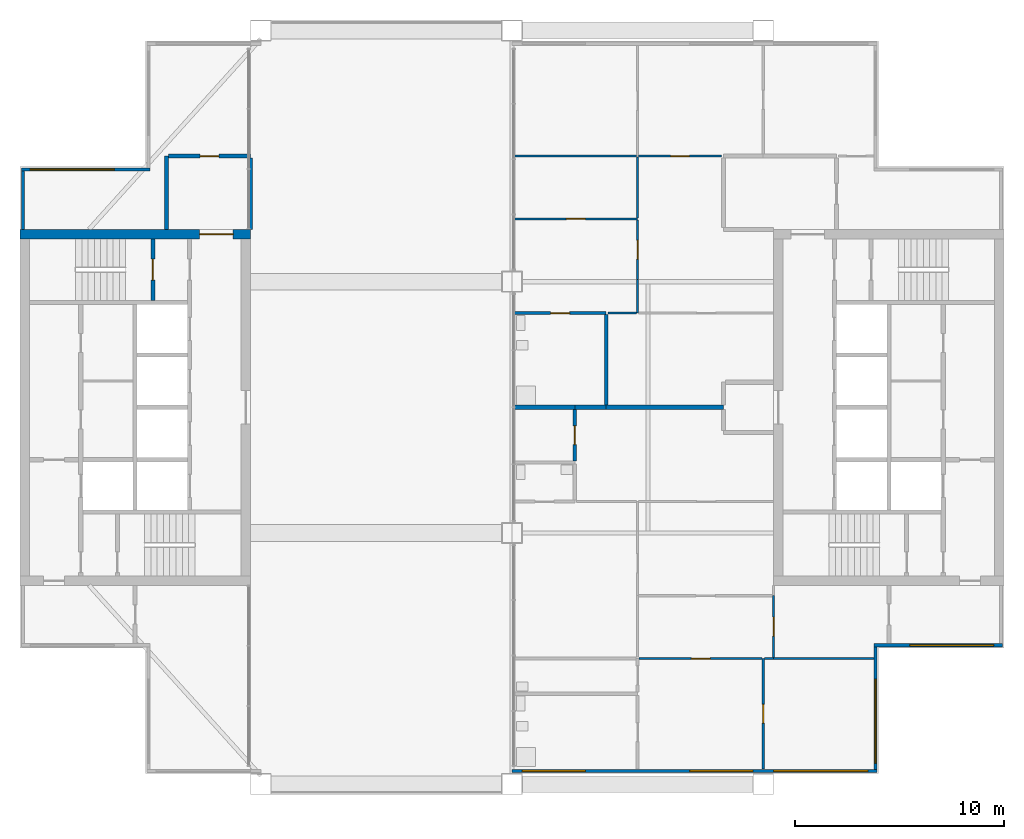
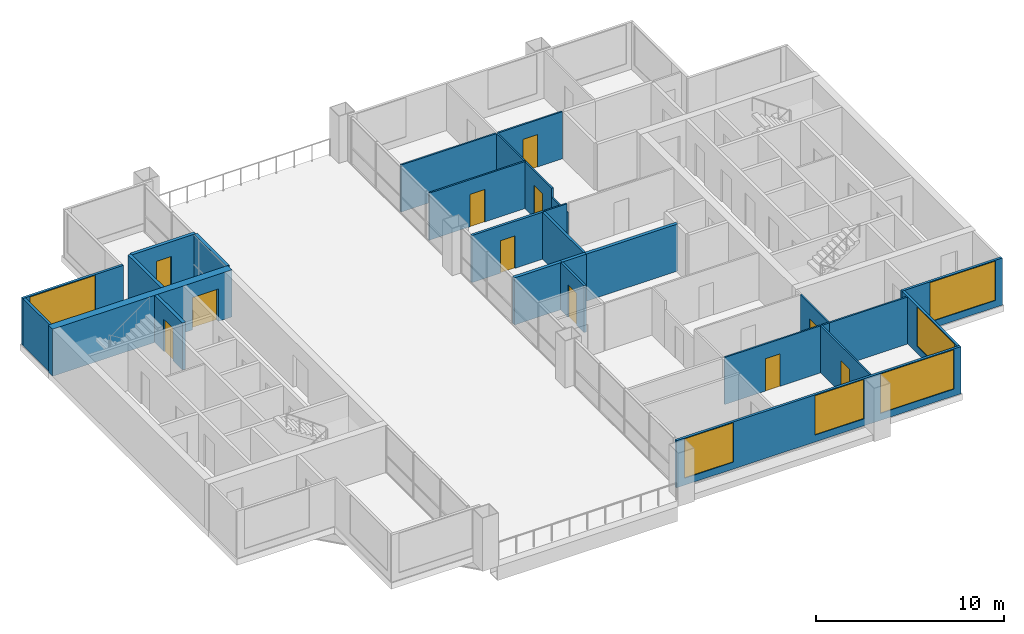
# One storey, part 8 of 12: 28 walls, 11 doors, 6 windows, 17 openings.
"""IFC4 building model written with IfcOpenShell, lengths in metres."""

from ifc_helpers import new_model, si_unit, direction, frame, frame_2d, origin, place, context, subcontext, project, spatial, rectangle, extrude, material, layer, layer_set, type_object, element, fill, save


model = new_model("IFC4")

# Units and contexts
model_context = context("Model", 3, precision=1e-05, world=origin(), true_north=direction((0.0, 1.0)))
body_context = subcontext(model_context, "Body", "Model", "MODEL_VIEW")
ifc_project = project(units=[si_unit("LENGTHUNIT", "METRE"), si_unit("AREAUNIT", "SQUARE_METRE"), si_unit("VOLUMEUNIT", "CUBIC_METRE"), si_unit("PLANEANGLEUNIT", "RADIAN"), si_unit("MASSUNIT", "GRAM", prefix="KILO")], contexts=[model_context])

# Site, building, storey
site_placement = place(None, origin())
site = spatial("IfcSite", under=ifc_project, at=site_placement, CompositionType="ELEMENT")
building_placement = place(site_placement, origin())
building = spatial("IfcBuilding", under=site, at=building_placement, Name="Kitamizu Gate Tower and Museum", CompositionType="ELEMENT")
storey_placement = place(building_placement, frame((0.0, 0.0, 249.0)))
storey = spatial("IfcBuildingStorey", under=building, at=storey_placement, Name="L67", CompositionType="ELEMENT", Elevation=249.0)

# Wall, opening, door
ifc_material_1 = material(Name="Concrete Fc42", Category="concrete")
ifc_layer_1 = layer(ifc_material_1, 0.449951171875)
ifc_layer_set_1 = layer_set([ifc_layer_1], Name="Concrete Fc42")
wall_type_1 = type_object("IfcWallType", Name="Core wall 450", PredefinedType="SHEAR", material=ifc_layer_set_1)
wall_1_placement = place(storey_placement, frame((12.5, 38.27490234375, 0.0), z_axis=(0.0, 0.0, 1.0), x_axis=(1.0, 0.0, 0.0)))
wall_1 = element("IfcWall", 1, at=wall_1_placement, inside=storey, type_object=wall_type_1, Name="Core wall WN", PredefinedType="SHEAR", context=body_context, shape_type="SweptSolid", body=[
    extrude(rectangle(XDim=11.0, YDim=0.449951171875, at=frame_2d((5.5, 0.0))), origin(), (0.0, 0.0, 1.0), 3.050048828125),
])
opening_1_placement = place(wall_1_placement, frame((8.574951171875, 0.0, 0.0)))
opening_1 = element("IfcOpeningElement", 2, at=opening_1_placement, cuts=wall_1, Name="Opening L67-029", PredefinedType="OPENING", context=body_context, shape_type="SweptSolid", body=[
    extrude(rectangle(XDim=1.60009765625, YDim=2.10009765625, at=frame_2d((0.800048828125, 1.050048828125))), frame((0.0, 0.23486328125, 0.0), z_axis=(0.0, -1.0, 0.0), x_axis=(1.0, 0.0, 0.0)), (0.0, 0.0, 1.0), 0.469970703125),
])
ifc_material_2 = material(Name="Timber door set", Category="wood")
door_type_1 = type_object("IfcDoorType", Name="Entrance door 1600", OperationType="DOUBLE_DOOR_SINGLE_SWING", PredefinedType="DOOR", material=ifc_material_2)
door_1_placement = place(opening_1_placement, origin())
door_1 = element("IfcDoor", 3, at=door_1_placement, inside=storey, type_object=door_type_1, Name="Lobby door L67-029", OperationType="DOUBLE_DOOR_SINGLE_SWING", OverallHeight=2.10009765625, OverallWidth=1.60009765625, PredefinedType="DOOR", context=body_context, shape_type="SweptSolid", body=[
    extrude(rectangle(XDim=1.60009765625, YDim=2.10009765625, at=frame_2d((0.800048828125, 1.050048828125))), frame((0.0, 0.02490234375, 0.0), z_axis=(0.0, -1.0, 0.0), x_axis=(1.0, 0.0, 0.0)), (0.0, 0.0, 1.0), 0.050048828125),
])
fill(opening_1, door_1)

ifc_material_3 = material(Name="Gypsum board on galvanised stud")
ifc_layer_2 = layer(ifc_material_3, 0.10009765625)
ifc_layer_set_2 = layer_set([ifc_layer_2], Name="Gypsum board on galvanised stud")
wall_type_2 = type_object("IfcWallType", Name="Partition 100 NOT RATED", PredefinedType="PARTITIONING", material=ifc_layer_set_2)
wall_2_placement = place(storey_placement, frame((48.0, 12.719970703125, 0.0), z_axis=(0.0, 0.0, 1.0), x_axis=(0.0, 1.0, 0.0)))
wall_2 = element("IfcWall", 4, at=wall_2_placement, inside=storey, type_object=wall_type_2, Name="Partition L67-009", PredefinedType="PARTITIONING", context=body_context, shape_type="SweptSolid", body=[
    extrude(rectangle(XDim=5.280029296875, YDim=0.10009765625, at=frame_2d((2.64013671875, 0.0))), origin(), (0.0, 0.0, 1.0), 3.050048828125),
])
opening_2_placement = place(wall_2_placement, frame((2.18994140625, 0.0, 0.0)))
opening_2 = element("IfcOpeningElement", 5, at=opening_2_placement, cuts=wall_2, Name="Opening L67-007", PredefinedType="OPENING", context=body_context, shape_type="SweptSolid", body=[
    extrude(rectangle(XDim=0.89990234375, YDim=2.10009765625, at=frame_2d((0.449951171875, 1.050048828125))), frame((0.0, 0.06005859375, 0.0), z_axis=(0.0, -1.0, 0.0), x_axis=(1.0, 0.0, 0.0)), (0.0, 0.0, 1.0), 0.1201171875),
])
ifc_material_4 = material(Name="Timber door set", Category="wood")
door_type_2 = type_object("IfcDoorType", Name="Room door 900", OperationType="NOTDEFINED", PredefinedType="DOOR", material=ifc_material_4)
door_2_placement = place(opening_2_placement, frame((0.89990234375, 0.0, 0.0), x_axis=(-1.0, 0.0, 0.0)))
door_2 = element("IfcDoor", 6, at=door_2_placement, inside=storey, type_object=door_type_2, Name="Door L67-007", OperationType="SINGLE_SWING_LEFT", OverallHeight=2.10009765625, OverallWidth=0.89990234375, PredefinedType="DOOR", context=body_context, shape_type="SweptSolid", body=[
    extrude(rectangle(XDim=0.89990234375, YDim=2.10009765625, at=frame_2d((0.449951171875, 1.050048828125))), frame((0.0, 0.02490234375, 0.0), z_axis=(0.0, -1.0, 0.0), x_axis=(1.0, 0.0, 0.0)), (0.0, 0.0, 1.0), 0.050048828125),
])
fill(opening_2, door_2)

wall_3_placement = place(storey_placement, frame((47.949951171875, 18.0, 0.0), z_axis=(0.0, 0.0, 1.0), x_axis=(-1.0, 0.0, 0.0)))
wall_3 = element("IfcWall", 7, at=wall_3_placement, inside=storey, type_object=wall_type_2, Name="Partition L67-010", PredefinedType="PARTITIONING", context=body_context, shape_type="SweptSolid", body=[
    extrude(rectangle(XDim=5.875, YDim=0.10009765625, at=frame_2d((2.9375, 0.0))), origin(), (0.0, 0.0, 1.0), 3.050048828125),
])
opening_3_placement = place(wall_3_placement, frame((2.487548828125, 0.0, 0.0)))
opening_3 = element("IfcOpeningElement", 8, at=opening_3_placement, cuts=wall_3, Name="Opening L67-003", PredefinedType="OPENING", context=body_context, shape_type="SweptSolid", body=[
    extrude(rectangle(XDim=0.89990234375, YDim=2.10009765625, at=frame_2d((0.449951171875, 1.050048828125))), frame((0.0, 0.06005859375, 0.0), z_axis=(0.0, -1.0, 0.0), x_axis=(1.0, 0.0, 0.0)), (0.0, 0.0, 1.0), 0.1201171875),
])
door_3_placement = place(opening_3_placement, frame((0.89990234375, 0.0, 0.0), x_axis=(-1.0, 0.0, 0.0)))
door_3 = element("IfcDoor", 9, at=door_3_placement, inside=storey, type_object=door_type_2, Name="Door L67-003", OperationType="SINGLE_SWING_LEFT", OverallHeight=2.10009765625, OverallWidth=0.89990234375, PredefinedType="DOOR", context=body_context, shape_type="SweptSolid", body=[
    extrude(rectangle(XDim=0.89990234375, YDim=2.10009765625, at=frame_2d((0.449951171875, 1.050048828125))), frame((0.0, 0.02490234375, 0.0), z_axis=(0.0, -1.0, 0.0), x_axis=(1.0, 0.0, 0.0)), (0.0, 0.0, 1.0), 0.050048828125),
])
fill(opening_3, door_3)

# Walls
wall_4_placement = place(storey_placement, frame((53.280029296875, 18.0, 0.0), z_axis=(0.0, 0.0, 1.0), x_axis=(-1.0, 0.0, 0.0)))
element("IfcWall", 10, at=wall_4_placement, inside=storey, type_object=wall_type_2, Name="Partition L67-011", PredefinedType="PARTITIONING", context=body_context, shape_type="SweptSolid", body=[
    extrude(rectangle(XDim=4.780029296875, YDim=0.10009765625, at=frame_2d((2.39013671875, 0.0))), origin(), (0.0, 0.0, 1.0), 3.050048828125),
])
wall_5_placement = place(storey_placement, frame((48.5, 18.0, 0.0), z_axis=(0.0, 0.0, 1.0), x_axis=(-1.0, 0.0, 0.0)))
element("IfcWall", 11, at=wall_5_placement, inside=storey, type_object=wall_type_2, Name="Partition L67-012", PredefinedType="PARTITIONING", context=body_context, shape_type="SweptSolid", body=[
    extrude(rectangle(XDim=0.449951171875, YDim=0.10009765625, at=frame_2d((0.22509765625, 0.0))), origin(), (0.0, 0.0, 1.0), 3.050048828125),
])

# Wall, opening, door
wall_6_placement = place(storey_placement, frame((48.5, 21.0, 0.0), z_axis=(0.0, 0.0, 1.0), x_axis=(0.0, -1.0, 0.0)))
wall_6 = element("IfcWall", 12, at=wall_6_placement, inside=storey, type_object=wall_type_2, Name="Partition L67-013", PredefinedType="PARTITIONING", context=body_context, shape_type="SweptSolid", body=[
    extrude(rectangle(XDim=2.949951171875, YDim=0.10009765625, at=frame_2d((1.47509765625, 0.0))), origin(), (0.0, 0.0, 1.0), 3.050048828125),
])
opening_4_placement = place(wall_6_placement, frame((1.02490234375, 0.0, 0.0)))
opening_4 = element("IfcOpeningElement", 13, at=opening_4_placement, cuts=wall_6, Name="Opening L67-002", PredefinedType="OPENING", context=body_context, shape_type="SweptSolid", body=[
    extrude(rectangle(XDim=0.89990234375, YDim=2.10009765625, at=frame_2d((0.449951171875, 1.050048828125))), frame((0.0, 0.06005859375, 0.0), z_axis=(0.0, -1.0, 0.0), x_axis=(1.0, 0.0, 0.0)), (0.0, 0.0, 1.0), 0.1201171875),
])
door_4_placement = place(opening_4_placement, frame((0.89990234375, 0.0, 0.0), x_axis=(-1.0, 0.0, 0.0)))
door_4 = element("IfcDoor", 14, at=door_4_placement, inside=storey, type_object=door_type_2, Name="Door L67-002", OperationType="SINGLE_SWING_RIGHT", OverallHeight=2.10009765625, OverallWidth=0.89990234375, PredefinedType="DOOR", context=body_context, shape_type="SweptSolid", body=[
    extrude(rectangle(XDim=0.89990234375, YDim=2.10009765625, at=frame_2d((0.449951171875, 1.050048828125))), frame((0.0, 0.02490234375, 0.0), z_axis=(0.0, -1.0, 0.0), x_axis=(1.0, 0.0, 0.0)), (0.0, 0.0, 1.0), 0.050048828125),
])
fill(opening_4, door_4)

# Wall
wall_7_placement = place(storey_placement, frame((36.10009765625, 42.0, 0.0), z_axis=(0.0, 0.0, 1.0), x_axis=(1.0, 0.0, 0.0)))
element("IfcWall", 15, at=wall_7_placement, inside=storey, type_object=wall_type_2, Name="Partition L67-032", PredefinedType="PARTITIONING", context=body_context, shape_type="SweptSolid", body=[
    extrude(rectangle(XDim=5.849853515625, YDim=0.10009765625, at=frame_2d((2.9248046875, 0.0))), origin(), (0.0, 0.0, 1.0), 3.050048828125),
])

# Wall, opening, door
wall_8_placement = place(storey_placement, frame((42.050048828125, 42.0, 0.0), z_axis=(0.0, 0.0, 1.0), x_axis=(1.0, 0.0, 0.0)))
wall_8 = element("IfcWall", 16, at=wall_8_placement, inside=storey, type_object=wall_type_2, Name="Partition L67-034", PredefinedType="PARTITIONING", context=body_context, shape_type="SweptSolid", body=[
    extrude(rectangle(XDim=3.949951171875, YDim=0.10009765625, at=frame_2d((1.97509765625, 0.0))), origin(), (0.0, 0.0, 1.0), 3.050048828125),
])
opening_5_placement = place(wall_8_placement, frame((1.52490234375, 0.0, 0.0)))
opening_5 = element("IfcOpeningElement", 17, at=opening_5_placement, cuts=wall_8, Name="Opening L67-015", PredefinedType="OPENING", context=body_context, shape_type="SweptSolid", body=[
    extrude(rectangle(XDim=0.89990234375, YDim=2.10009765625, at=frame_2d((0.449951171875, 1.050048828125))), frame((0.0, 0.06005859375, 0.0), z_axis=(0.0, -1.0, 0.0), x_axis=(1.0, 0.0, 0.0)), (0.0, 0.0, 1.0), 0.1201171875),
])
door_5_placement = place(opening_5_placement, origin())
door_5 = element("IfcDoor", 18, at=door_5_placement, inside=storey, type_object=door_type_2, Name="Door L67-015", OperationType="SINGLE_SWING_RIGHT", OverallHeight=2.10009765625, OverallWidth=0.89990234375, PredefinedType="DOOR", context=body_context, shape_type="SweptSolid", body=[
    extrude(rectangle(XDim=0.89990234375, YDim=2.10009765625, at=frame_2d((0.449951171875, 1.050048828125))), frame((0.0, 0.02490234375, 0.0), z_axis=(0.0, -1.0, 0.0), x_axis=(1.0, 0.0, 0.0)), (0.0, 0.0, 1.0), 0.050048828125),
])
fill(opening_5, door_5)

wall_9_placement = place(storey_placement, frame((42.0, 39.0, 0.0), z_axis=(0.0, 0.0, 1.0), x_axis=(-1.0, 0.0, 0.0)))
wall_9 = element("IfcWall", 19, at=wall_9_placement, inside=storey, type_object=wall_type_2, Name="Partition L67-039", PredefinedType="PARTITIONING", context=body_context, shape_type="SweptSolid", body=[
    extrude(rectangle(XDim=5.89990234375, YDim=0.10009765625, at=frame_2d((2.949951171875, 0.0))), origin(), (0.0, 0.0, 1.0), 3.050048828125),
])
opening_6_placement = place(wall_9_placement, frame((2.5, 0.0, 0.0)))
opening_6 = element("IfcOpeningElement", 20, at=opening_6_placement, cuts=wall_9, Name="Opening L67-019", PredefinedType="OPENING", context=body_context, shape_type="SweptSolid", body=[
    extrude(rectangle(XDim=0.89990234375, YDim=2.10009765625, at=frame_2d((0.449951171875, 1.050048828125))), frame((0.0, 0.06005859375, 0.0), z_axis=(0.0, -1.0, 0.0), x_axis=(1.0, 0.0, 0.0)), (0.0, 0.0, 1.0), 0.1201171875),
])
door_6_placement = place(opening_6_placement, frame((0.89990234375, 0.0, 0.0), x_axis=(-1.0, 0.0, 0.0)))
door_6 = element("IfcDoor", 21, at=door_6_placement, inside=storey, type_object=door_type_2, Name="Door L67-019", OperationType="SINGLE_SWING_RIGHT", OverallHeight=2.10009765625, OverallWidth=0.89990234375, PredefinedType="DOOR", context=body_context, shape_type="SweptSolid", body=[
    extrude(rectangle(XDim=0.89990234375, YDim=2.10009765625, at=frame_2d((0.449951171875, 1.050048828125))), frame((0.0, 0.02490234375, 0.0), z_axis=(0.0, -1.0, 0.0), x_axis=(1.0, 0.0, 0.0)), (0.0, 0.0, 1.0), 0.050048828125),
])
fill(opening_6, door_6)

# Wall
wall_10_placement = place(storey_placement, frame((42.0, 34.5, 0.0), z_axis=(0.0, 0.0, 1.0), x_axis=(0.0, 1.0, 0.0)))
element("IfcWall", 22, at=wall_10_placement, inside=storey, type_object=wall_type_2, Name="Partition L67-040", PredefinedType="PARTITIONING", context=body_context, shape_type="SweptSolid", body=[
    extrude(rectangle(XDim=1.60009765625, YDim=0.10009765625, at=frame_2d((0.800048828125, 0.0))), origin(), (0.0, 0.0, 1.0), 2.449951171875),
])

# Wall, opening, door
wall_11_placement = place(storey_placement, frame((42.0, 36.10009765625, 0.0), z_axis=(0.0, 0.0, 1.0), x_axis=(0.0, 1.0, 0.0)))
wall_11 = element("IfcWall", 23, at=wall_11_placement, inside=storey, type_object=wall_type_2, Name="Partition L67-041", PredefinedType="PARTITIONING", context=body_context, shape_type="SweptSolid", body=[
    extrude(rectangle(XDim=2.849853515625, YDim=0.10009765625, at=frame_2d((1.4248046875, 0.0))), origin(), (0.0, 0.0, 1.0), 3.050048828125),
])
opening_7_placement = place(wall_11_placement, frame((0.97509765625, 0.0, 0.0)))
opening_7 = element("IfcOpeningElement", 24, at=opening_7_placement, cuts=wall_11, Name="Opening L67-018", PredefinedType="OPENING", context=body_context, shape_type="SweptSolid", body=[
    extrude(rectangle(XDim=0.89990234375, YDim=2.10009765625, at=frame_2d((0.449951171875, 1.050048828125))), frame((0.0, 0.06005859375, 0.0), z_axis=(0.0, -1.0, 0.0), x_axis=(1.0, 0.0, 0.0)), (0.0, 0.0, 1.0), 0.1201171875),
])
door_7_placement = place(opening_7_placement, origin())
door_7 = element("IfcDoor", 25, at=door_7_placement, inside=storey, type_object=door_type_2, Name="Door L67-018", OperationType="SINGLE_SWING_LEFT", OverallHeight=2.10009765625, OverallWidth=0.89990234375, PredefinedType="DOOR", context=body_context, shape_type="SweptSolid", body=[
    extrude(rectangle(XDim=0.89990234375, YDim=2.10009765625, at=frame_2d((0.449951171875, 1.050048828125))), frame((0.0, 0.02490234375, 0.0), z_axis=(0.0, -1.0, 0.0), x_axis=(1.0, 0.0, 0.0)), (0.0, 0.0, 1.0), 0.050048828125),
])
fill(opening_7, door_7)

# Walls
wall_12_placement = place(storey_placement, frame((40.574951171875, 34.5, 0.0), z_axis=(0.0, 0.0, 1.0), x_axis=(1.0, 0.0, 0.0)))
element("IfcWall", 26, at=wall_12_placement, inside=storey, type_object=wall_type_2, Name="Partition L67-043", PredefinedType="PARTITIONING", context=body_context, shape_type="SweptSolid", body=[
    extrude(rectangle(XDim=1.375, YDim=0.10009765625, at=frame_2d((0.6875, 0.0))), origin(), (0.0, 0.0, 1.0), 3.050048828125),
])
wall_13_placement = place(storey_placement, frame((42.0, 39.050048828125, 0.0), z_axis=(0.0, 0.0, 1.0), x_axis=(0.0, 1.0, 0.0)))
element("IfcWall", 27, at=wall_13_placement, inside=storey, type_object=wall_type_2, Name="Partition L67-044", PredefinedType="PARTITIONING", context=body_context, shape_type="SweptSolid", body=[
    extrude(rectangle(XDim=2.89990234375, YDim=0.10009765625, at=frame_2d((1.449951171875, 0.0))), origin(), (0.0, 0.0, 1.0), 3.050048828125),
])

# Wall, opening, door
ifc_material_5 = material(Name="Gypsum board on galvanised stud")
ifc_layer_3 = layer(ifc_material_5, 0.14990234375)
ifc_layer_set_3 = layer_set([ifc_layer_3], Name="Gypsum board on galvanised stud")
wall_type_3 = type_object("IfcWallType", Name="Partition 150", PredefinedType="PARTITIONING", material=ifc_layer_set_3)
wall_14_placement = place(storey_placement, frame((39.0, 27.43701171875, 0.0), z_axis=(0.0, 0.0, 1.0), x_axis=(0.0, 1.0, 0.0)))
wall_14 = element("IfcWall", 28, at=wall_14_placement, inside=storey, type_object=wall_type_3, Name="Partition L67-025", PredefinedType="PARTITIONING", context=body_context, shape_type="SweptSolid", body=[
    extrude(rectangle(XDim=2.462890625, YDim=0.14990234375, at=frame_2d((1.2314453125, 0.0))), origin(), (0.0, 0.0, 1.0), 3.050048828125),
])
opening_8_placement = place(wall_14_placement, frame((0.781494140625, 0.0, 0.0)))
opening_8 = element("IfcOpeningElement", 29, at=opening_8_placement, cuts=wall_14, Name="Opening L67-011", PredefinedType="OPENING", context=body_context, shape_type="SweptSolid", body=[
    extrude(rectangle(XDim=0.89990234375, YDim=2.10009765625, at=frame_2d((0.449951171875, 1.050048828125))), frame((0.0, 0.0849609375, 0.0), z_axis=(0.0, -1.0, 0.0), x_axis=(1.0, 0.0, 0.0)), (0.0, 0.0, 1.0), 0.169921875),
])
ifc_material_6 = material(Name="Timber door set", Category="wood")
door_type_3 = type_object("IfcDoorType", Name="Bathroom door 900", OperationType="NOTDEFINED", PredefinedType="DOOR", material=ifc_material_6)
door_8_placement = place(opening_8_placement, origin())
door_8 = element("IfcDoor", 30, at=door_8_placement, inside=storey, type_object=door_type_3, Name="Bathroom door L67-011", OperationType="SINGLE_SWING_LEFT", OverallHeight=2.10009765625, OverallWidth=0.89990234375, PredefinedType="DOOR", context=body_context, shape_type="SweptSolid", body=[
    extrude(rectangle(XDim=0.89990234375, YDim=2.10009765625, at=frame_2d((0.449951171875, 1.050048828125))), frame((0.0, 0.02490234375, 0.0), z_axis=(0.0, -1.0, 0.0), x_axis=(1.0, 0.0, 0.0)), (0.0, 0.0, 1.0), 0.050048828125),
])
fill(opening_8, door_8)

wall_15_placement = place(storey_placement, frame((36.10009765625, 34.5, 0.0), z_axis=(0.0, 0.0, 1.0), x_axis=(1.0, 0.0, 0.0)))
wall_15 = element("IfcWall", 31, at=wall_15_placement, inside=storey, type_object=wall_type_3, Name="Partition L67-042", PredefinedType="PARTITIONING", context=body_context, shape_type="SweptSolid", body=[
    extrude(rectangle(XDim=4.39990234375, YDim=0.14990234375, at=frame_2d((2.199951171875, 0.0))), origin(), (0.0, 0.0, 1.0), 3.050048828125),
])
opening_9_placement = place(wall_15_placement, frame((1.75, 0.0, 0.0)))
opening_9 = element("IfcOpeningElement", 32, at=opening_9_placement, cuts=wall_15, Name="Opening L67-020", PredefinedType="OPENING", context=body_context, shape_type="SweptSolid", body=[
    extrude(rectangle(XDim=0.89990234375, YDim=2.10009765625, at=frame_2d((0.449951171875, 1.050048828125))), frame((0.0, 0.0849609375, 0.0), z_axis=(0.0, -1.0, 0.0), x_axis=(1.0, 0.0, 0.0)), (0.0, 0.0, 1.0), 0.169921875),
])
door_9_placement = place(opening_9_placement, frame((0.89990234375, 0.0, 0.0), x_axis=(-1.0, 0.0, 0.0)))
door_9 = element("IfcDoor", 33, at=door_9_placement, inside=storey, type_object=door_type_3, Name="Bathroom door L67-020", OperationType="SINGLE_SWING_LEFT", OverallHeight=2.10009765625, OverallWidth=0.89990234375, PredefinedType="DOOR", context=body_context, shape_type="SweptSolid", body=[
    extrude(rectangle(XDim=0.89990234375, YDim=2.10009765625, at=frame_2d((0.449951171875, 1.050048828125))), frame((0.0, 0.02490234375, 0.0), z_axis=(0.0, -1.0, 0.0), x_axis=(1.0, 0.0, 0.0)), (0.0, 0.0, 1.0), 0.050048828125),
])
fill(opening_9, door_9)

# Walls
wall_16_placement = place(storey_placement, frame((40.5, 30.10009765625, 0.0), z_axis=(0.0, 0.0, 1.0), x_axis=(0.0, 1.0, 0.0)))
element("IfcWall", 34, at=wall_16_placement, inside=storey, type_object=wall_type_3, Name="Partition L67-048", PredefinedType="PARTITIONING", context=body_context, shape_type="SweptSolid", body=[
    extrude(rectangle(XDim=4.324951171875, YDim=0.14990234375, at=frame_2d((2.16259765625, 0.0))), origin(), (0.0, 0.0, 1.0), 3.050048828125),
])
ifc_material_7 = material(Name="Gypsum board on galvanised stud")
ifc_layer_4 = layer(ifc_material_7, 0.199951171875)
ifc_layer_set_4 = layer_set([ifc_layer_4], Name="Gypsum board on galvanised stud")
wall_type_4 = type_object("IfcWallType", Name="Partition 200", PredefinedType="PARTITIONING", material=ifc_layer_set_4)
wall_17_placement = place(storey_placement, frame((19.5, 38.5, 0.0), z_axis=(0.0, 0.0, 1.0), x_axis=(0.0, 1.0, 0.0)))
element("IfcWall", 35, at=wall_17_placement, inside=storey, type_object=wall_type_4, Name="Partition L67-002", PredefinedType="PARTITIONING", context=body_context, shape_type="SweptSolid", body=[
    extrude(rectangle(XDim=3.5, YDim=0.199951171875, at=frame_2d((1.75, 0.0))), origin(), (0.0, 0.0, 1.0), 3.050048828125),
])

# Wall, opening, door
wall_18_placement = place(storey_placement, frame((19.60009765625, 42.0, 0.0), z_axis=(0.0, 0.0, 1.0), x_axis=(1.0, 0.0, 0.0)))
wall_18 = element("IfcWall", 36, at=wall_18_placement, inside=storey, type_object=wall_type_4, Name="Partition L67-003", PredefinedType="PARTITIONING", context=body_context, shape_type="SweptSolid", body=[
    extrude(rectangle(XDim=3.89990234375, YDim=0.199951171875, at=frame_2d((1.949951171875, 0.0))), origin(), (0.0, 0.0, 1.0), 3.050048828125),
])
opening_10_placement = place(wall_18_placement, frame((1.5, 0.0, 0.0)))
opening_10 = element("IfcOpeningElement", 37, at=opening_10_placement, cuts=wall_18, Name="Opening L67-022", PredefinedType="OPENING", context=body_context, shape_type="SweptSolid", body=[
    extrude(rectangle(XDim=0.89990234375, YDim=2.10009765625, at=frame_2d((0.449951171875, 1.050048828125))), frame((0.0, 0.10986328125, 0.0), z_axis=(0.0, -1.0, 0.0), x_axis=(1.0, 0.0, 0.0)), (0.0, 0.0, 1.0), 0.219970703125),
])
door_10_placement = place(opening_10_placement, origin())
door_10 = element("IfcDoor", 38, at=door_10_placement, inside=storey, type_object=door_type_2, Name="Door L67-022", OperationType="SINGLE_SWING_RIGHT", OverallHeight=2.10009765625, OverallWidth=0.89990234375, PredefinedType="DOOR", context=body_context, shape_type="SweptSolid", body=[
    extrude(rectangle(XDim=0.89990234375, YDim=2.10009765625, at=frame_2d((0.449951171875, 1.050048828125))), frame((0.0, 0.02490234375, 0.0), z_axis=(0.0, -1.0, 0.0), x_axis=(1.0, 0.0, 0.0)), (0.0, 0.0, 1.0), 0.050048828125),
])
fill(opening_10, door_10)

# Walls
wall_19_placement = place(storey_placement, frame((23.5, 41.89990234375, 0.0), z_axis=(0.0, 0.0, 1.0), x_axis=(0.0, -1.0, 0.0)))
element("IfcWall", 39, at=wall_19_placement, inside=storey, type_object=wall_type_4, Name="Partition L67-004", PredefinedType="PARTITIONING", context=body_context, shape_type="SweptSolid", body=[
    extrude(rectangle(XDim=3.39990234375, YDim=0.199951171875, at=frame_2d((1.699951171875, 0.0))), origin(), (0.0, 0.0, 1.0), 3.050048828125),
])
wall_20_placement = place(storey_placement, frame((39.0, 30.0, 0.0), z_axis=(0.0, 0.0, 1.0), x_axis=(-1.0, 0.0, 0.0)))
element("IfcWall", 40, at=wall_20_placement, inside=storey, type_object=wall_type_4, Name="Partition L67-026", PredefinedType="PARTITIONING", context=body_context, shape_type="SweptSolid", body=[
    extrude(rectangle(XDim=2.89990234375, YDim=0.199951171875, at=frame_2d((1.449951171875, 0.0))), origin(), (0.0, 0.0, 1.0), 3.050048828125),
])
wall_21_placement = place(storey_placement, frame((40.5, 30.0, 0.0), z_axis=(0.0, 0.0, 1.0), x_axis=(-1.0, 0.0, 0.0)))
element("IfcWall", 41, at=wall_21_placement, inside=storey, type_object=wall_type_4, Name="Partition L67-027", PredefinedType="PARTITIONING", context=body_context, shape_type="SweptSolid", body=[
    extrude(rectangle(XDim=1.5, YDim=0.199951171875, at=frame_2d((0.75, 0.0))), origin(), (0.0, 0.0, 1.0), 3.050048828125),
])
wall_22_placement = place(storey_placement, frame((46.10009765625, 30.0, 0.0), z_axis=(0.0, 0.0, 1.0), x_axis=(-1.0, 0.0, 0.0)))
element("IfcWall", 42, at=wall_22_placement, inside=storey, type_object=wall_type_4, Name="Partition L67-028", PredefinedType="PARTITIONING", context=body_context, shape_type="SweptSolid", body=[
    extrude(rectangle(XDim=5.60009765625, YDim=0.199951171875, at=frame_2d((2.800048828125, 0.0))), origin(), (0.0, 0.0, 1.0), 3.050048828125),
])

# Wall, opening, door
ifc_material_8 = material(Name="Concrete Fc42", Category="concrete")
ifc_layer_5 = layer(ifc_material_8, 0.199951171875)
ifc_layer_set_5 = layer_set([ifc_layer_5], Name="Concrete Fc42")
wall_type_5 = type_object("IfcWallType", Name="Shaft wall 200", PredefinedType="SOLIDWALL", material=ifc_layer_set_5)
wall_23_placement = place(storey_placement, frame((18.85009765625, 35.10009765625, 0.0), z_axis=(0.0, 0.0, 1.0), x_axis=(0.0, 1.0, 0.0)))
wall_23 = element("IfcWall", 43, at=wall_23_placement, inside=storey, type_object=wall_type_5, Name="Shaft wall WNZ", PredefinedType="SOLIDWALL", context=body_context, shape_type="SweptSolid", body=[
    extrude(rectangle(XDim=2.949951171875, YDim=0.199951171875, at=frame_2d((1.47509765625, 0.0))), origin(), (0.0, 0.0, 1.0), 3.050048828125),
])
opening_11_placement = place(wall_23_placement, frame((0.97509765625, 0.0, 0.0)))
opening_11 = element("IfcOpeningElement", 44, at=opening_11_placement, cuts=wall_23, Name="Opening L67-026", PredefinedType="OPENING", context=body_context, shape_type="SweptSolid", body=[
    extrude(rectangle(XDim=1.0, YDim=2.10009765625, at=frame_2d((0.5, 1.050048828125))), frame((0.0, 0.10986328125, 0.0), z_axis=(0.0, -1.0, 0.0), x_axis=(1.0, 0.0, 0.0)), (0.0, 0.0, 1.0), 0.219970703125),
])
ifc_material_9 = material(Name="Hollow metal door set")
door_type_4 = type_object("IfcDoorType", Name="Fire door 1000", OperationType="NOTDEFINED", PredefinedType="DOOR", material=ifc_material_9)
door_11_placement = place(opening_11_placement, origin())
door_11 = element("IfcDoor", 45, at=door_11_placement, inside=storey, type_object=door_type_4, Name="Stair door L67-026", OperationType="SINGLE_SWING_RIGHT", OverallHeight=2.10009765625, OverallWidth=1.0, PredefinedType="DOOR", context=body_context, shape_type="SweptSolid", body=[
    extrude(rectangle(XDim=1.0, YDim=2.10009765625, at=frame_2d((0.5, 1.050048828125))), frame((0.0, 0.02490234375, 0.0), z_axis=(0.0, -1.0, 0.0), x_axis=(1.0, 0.0, 0.0)), (0.0, 0.0, 1.0), 0.050048828125),
])
fill(opening_11, door_11)

# Wall, openings, windows
ifc_material_10 = material(Name="Bronze anodised aluminium frame with insulated spandrel and tinted glass", Category="aluminium")
ifc_layer_6 = layer(ifc_material_10, 0.14990234375)
ifc_layer_set_6 = layer_set([ifc_layer_6], Name="Bronze anodised aluminium frame with insulated spandrel and tinted glass")
wall_type_6 = type_object("IfcWallType", Name="WINDOW WALL 150 BRONZE FRAME EI 30", PredefinedType="ELEMENTEDWALL", material=ifc_layer_set_6)
wall_24_placement = place(storey_placement, frame((36.0, 12.635009765625, 0.0), z_axis=(0.0, 0.0, 1.0), x_axis=(1.0, 0.0, 0.0)))
wall_24 = element("IfcWall", 46, at=wall_24_placement, inside=storey, type_object=wall_type_6, Name="Window wall south L67", PredefinedType="ELEMENTEDWALL", context=body_context, shape_type="SweptSolid", body=[
    extrude(rectangle(XDim=17.43994140625, YDim=0.14990234375, at=frame_2d((8.719970703125, 0.0))), origin(), (0.0, 0.0, 1.0), 3.050048828125),
])
opening_12_placement = place(wall_24_placement, frame((0.5, 0.0, 0.449951171875)))
opening_12 = element("IfcOpeningElement", 47, at=opening_12_placement, cuts=wall_24, Name="Opening W33", PredefinedType="OPENING", context=body_context, shape_type="SweptSolid", body=[
    extrude(rectangle(XDim=3.0, YDim=2.550048828125, at=frame_2d((1.5, 1.27490234375))), frame((0.0, 0.0849609375, 0.0), z_axis=(0.0, -1.0, 0.0), x_axis=(1.0, 0.0, 0.0)), (0.0, 0.0, 1.0), 0.169921875),
])
opening_13_placement = place(wall_24_placement, frame((8.5, 0.0, 0.449951171875)))
opening_13 = element("IfcOpeningElement", 48, at=opening_13_placement, cuts=wall_24, Name="Opening W33", PredefinedType="OPENING", context=body_context, shape_type="SweptSolid", body=[
    extrude(rectangle(XDim=3.0, YDim=2.550048828125, at=frame_2d((1.5, 1.27490234375))), frame((0.0, 0.0849609375, 0.0), z_axis=(0.0, -1.0, 0.0), x_axis=(1.0, 0.0, 0.0)), (0.0, 0.0, 1.0), 0.169921875),
])
opening_14_placement = place(wall_24_placement, frame((12.5, 0.0, 0.449951171875)))
opening_14 = element("IfcOpeningElement", 49, at=opening_14_placement, cuts=wall_24, Name="Opening W15", PredefinedType="OPENING", context=body_context, shape_type="SweptSolid", body=[
    extrude(rectangle(XDim=4.5, YDim=2.550048828125, at=frame_2d((2.25, 1.27490234375))), frame((0.0, 0.0849609375, 0.0), z_axis=(0.0, -1.0, 0.0), x_axis=(1.0, 0.0, 0.0)), (0.0, 0.0, 1.0), 0.169921875),
])
ifc_material_11 = material(Name="Bronze anodised aluminium frame, tinted triple glazing", Category="aluminium")
window_type_1 = type_object("IfcWindowType", Name="WINDOW 3000 x 2550 SILL 450", PartitioningType="SINGLE_PANEL", PredefinedType="WINDOW", material=ifc_material_11)
window_1_placement = place(opening_12_placement, origin())
window_1 = element("IfcWindow", 50, at=window_1_placement, inside=storey, type_object=window_type_1, Name="Window W33 L67", OverallHeight=2.550048828125, OverallWidth=3.0, PartitioningType="SINGLE_PANEL", PredefinedType="WINDOW", context=body_context, shape_type="SweptSolid", body=[
    extrude(rectangle(XDim=3.0, YDim=2.550048828125, at=frame_2d((1.5, 1.27490234375))), frame((0.0, 0.030029296875, 0.0), z_axis=(0.0, -1.0, 0.0), x_axis=(1.0, 0.0, 0.0)), (0.0, 0.0, 1.0), 0.06005859375),
])
fill(opening_12, window_1)
window_2_placement = place(opening_13_placement, origin())
window_2 = element("IfcWindow", 51, at=window_2_placement, inside=storey, type_object=window_type_1, Name="Window W33 L67", OverallHeight=2.550048828125, OverallWidth=3.0, PartitioningType="SINGLE_PANEL", PredefinedType="WINDOW", context=body_context, shape_type="SweptSolid", body=[
    extrude(rectangle(XDim=3.0, YDim=2.550048828125, at=frame_2d((1.5, 1.27490234375))), frame((0.0, 0.030029296875, 0.0), z_axis=(0.0, -1.0, 0.0), x_axis=(1.0, 0.0, 0.0)), (0.0, 0.0, 1.0), 0.06005859375),
])
fill(opening_13, window_2)
ifc_material_12 = material(Name="Bronze anodised aluminium frame, tinted triple glazing", Category="aluminium")
window_type_2 = type_object("IfcWindowType", Name="WINDOW 4500 x 2550 SILL 450", PartitioningType="SINGLE_PANEL", PredefinedType="WINDOW", material=ifc_material_12)
window_3_placement = place(opening_14_placement, origin())
window_3 = element("IfcWindow", 52, at=window_3_placement, inside=storey, type_object=window_type_2, Name="Window W15 L67", OverallHeight=2.550048828125, OverallWidth=4.5, PartitioningType="SINGLE_PANEL", PredefinedType="WINDOW", context=body_context, shape_type="SweptSolid", body=[
    extrude(rectangle(XDim=4.5, YDim=2.550048828125, at=frame_2d((2.25, 1.27490234375))), frame((0.0, 0.030029296875, 0.0), z_axis=(0.0, -1.0, 0.0), x_axis=(1.0, 0.0, 0.0)), (0.0, 0.0, 1.0), 0.06005859375),
])
fill(opening_14, window_3)

# Wall, opening, window
wall_25_placement = place(storey_placement, frame((53.364990234375, 12.7099609375, 0.0), z_axis=(0.0, 0.0, 1.0), x_axis=(0.0, 1.0, 0.0)))
wall_25 = element("IfcWall", 53, at=wall_25_placement, inside=storey, type_object=wall_type_6, Name="Window wall east L67", PredefinedType="ELEMENTEDWALL", context=body_context, shape_type="SweptSolid", body=[
    extrude(rectangle(XDim=5.85009765625, YDim=0.14990234375, at=frame_2d((2.925048828125, 0.0))), origin(), (0.0, 0.0, 1.0), 3.050048828125),
])
opening_15_placement = place(wall_25_placement, frame((0.2900390625, 0.0, 0.449951171875)))
opening_15 = element("IfcOpeningElement", 54, at=opening_15_placement, cuts=wall_25, Name="Opening W16", PredefinedType="OPENING", context=body_context, shape_type="SweptSolid", body=[
    extrude(rectangle(XDim=4.0, YDim=2.550048828125, at=frame_2d((2.0, 1.27490234375))), frame((0.0, 0.0849609375, 0.0), z_axis=(0.0, -1.0, 0.0), x_axis=(1.0, 0.0, 0.0)), (0.0, 0.0, 1.0), 0.169921875),
])
ifc_material_13 = material(Name="Bronze anodised aluminium frame, tinted triple glazing", Category="aluminium")
window_type_3 = type_object("IfcWindowType", Name="WINDOW 4000 x 2550 SILL 450", PartitioningType="SINGLE_PANEL", PredefinedType="WINDOW", material=ifc_material_13)
window_4_placement = place(opening_15_placement, origin())
window_4 = element("IfcWindow", 55, at=window_4_placement, inside=storey, type_object=window_type_3, Name="Window W16 L67", OverallHeight=2.550048828125, OverallWidth=4.0, PartitioningType="SINGLE_PANEL", PredefinedType="WINDOW", context=body_context, shape_type="SweptSolid", body=[
    extrude(rectangle(XDim=4.0, YDim=2.550048828125, at=frame_2d((2.0, 1.27490234375))), frame((0.0, 0.030029296875, 0.0), z_axis=(0.0, -1.0, 0.0), x_axis=(1.0, 0.0, 0.0)), (0.0, 0.0, 1.0), 0.06005859375),
])
fill(opening_15, window_4)

wall_26_placement = place(storey_placement, frame((53.2900390625, 18.635009765625, 0.0), z_axis=(0.0, 0.0, 1.0), x_axis=(1.0, 0.0, 0.0)))
wall_26 = element("IfcWall", 56, at=wall_26_placement, inside=storey, type_object=wall_type_6, Name="Window wall south L67", PredefinedType="ELEMENTEDWALL", context=body_context, shape_type="SweptSolid", body=[
    extrude(rectangle(XDim=6.14990234375, YDim=0.14990234375, at=frame_2d((3.074951171875, 0.0))), origin(), (0.0, 0.0, 1.0), 3.050048828125),
])
opening_16_placement = place(wall_26_placement, frame((1.7099609375, 0.0, 0.449951171875)))
opening_16 = element("IfcOpeningElement", 57, at=opening_16_placement, cuts=wall_26, Name="Opening W16", PredefinedType="OPENING", context=body_context, shape_type="SweptSolid", body=[
    extrude(rectangle(XDim=4.0, YDim=2.550048828125, at=frame_2d((2.0, 1.27490234375))), frame((0.0, 0.0849609375, 0.0), z_axis=(0.0, -1.0, 0.0), x_axis=(1.0, 0.0, 0.0)), (0.0, 0.0, 1.0), 0.169921875),
])
window_5_placement = place(opening_16_placement, origin())
window_5 = element("IfcWindow", 58, at=window_5_placement, inside=storey, type_object=window_type_3, Name="Window W16 L67", OverallHeight=2.550048828125, OverallWidth=4.0, PartitioningType="SINGLE_PANEL", PredefinedType="WINDOW", context=body_context, shape_type="SweptSolid", body=[
    extrude(rectangle(XDim=4.0, YDim=2.550048828125, at=frame_2d((2.0, 1.27490234375))), frame((0.0, 0.030029296875, 0.0), z_axis=(0.0, -1.0, 0.0), x_axis=(1.0, 0.0, 0.0)), (0.0, 0.0, 1.0), 0.06005859375),
])
fill(opening_16, window_5)

wall_27_placement = place(storey_placement, frame((12.56005859375, 41.364990234375, 0.0), z_axis=(0.0, 0.0, 1.0), x_axis=(1.0, 0.0, 0.0)))
wall_27 = element("IfcWall", 59, at=wall_27_placement, inside=storey, type_object=wall_type_6, Name="Window wall north L67", PredefinedType="ELEMENTEDWALL", context=body_context, shape_type="SweptSolid", body=[
    extrude(rectangle(XDim=6.14990234375, YDim=0.14990234375, at=frame_2d((3.074951171875, 0.0))), origin(), (0.0, 0.0, 1.0), 3.050048828125),
])
opening_17_placement = place(wall_27_placement, frame((0.43994140625, 0.0, 0.449951171875)))
opening_17 = element("IfcOpeningElement", 60, at=opening_17_placement, cuts=wall_27, Name="Opening W16", PredefinedType="OPENING", context=body_context, shape_type="SweptSolid", body=[
    extrude(rectangle(XDim=4.0, YDim=2.550048828125, at=frame_2d((2.0, 1.27490234375))), frame((0.0, 0.0849609375, 0.0), z_axis=(0.0, -1.0, 0.0), x_axis=(1.0, 0.0, 0.0)), (0.0, 0.0, 1.0), 0.169921875),
])
window_6_placement = place(opening_17_placement, origin())
window_6 = element("IfcWindow", 61, at=window_6_placement, inside=storey, type_object=window_type_3, Name="Window W16 L67", OverallHeight=2.550048828125, OverallWidth=4.0, PartitioningType="SINGLE_PANEL", PredefinedType="WINDOW", context=body_context, shape_type="SweptSolid", body=[
    extrude(rectangle(XDim=4.0, YDim=2.550048828125, at=frame_2d((2.0, 1.27490234375))), frame((0.0, 0.030029296875, 0.0), z_axis=(0.0, -1.0, 0.0), x_axis=(1.0, 0.0, 0.0)), (0.0, 0.0, 1.0), 0.06005859375),
])
fill(opening_17, window_6)

# Wall
wall_28_placement = place(storey_placement, frame((12.635009765625, 38.5, 0.0), z_axis=(0.0, 0.0, 1.0), x_axis=(0.0, 1.0, 0.0)))
element("IfcWall", 62, at=wall_28_placement, inside=storey, type_object=wall_type_6, Name="Window wall west L67", PredefinedType="ELEMENTEDWALL", context=body_context, shape_type="SweptSolid", body=[
    extrude(rectangle(XDim=2.7900390625, YDim=0.14990234375, at=frame_2d((1.39501953125, 0.0))), origin(), (0.0, 0.0, 1.0), 3.050048828125),
])

save(model, "model.ifc")
